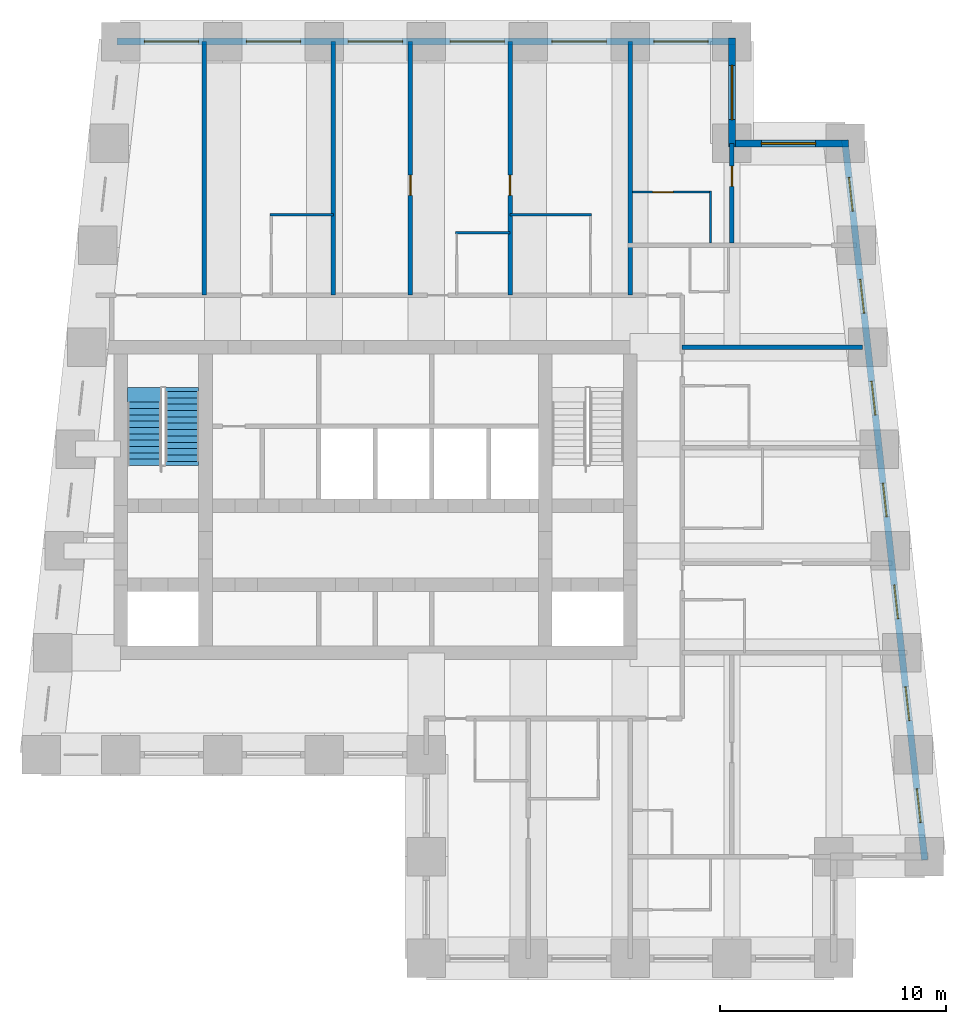
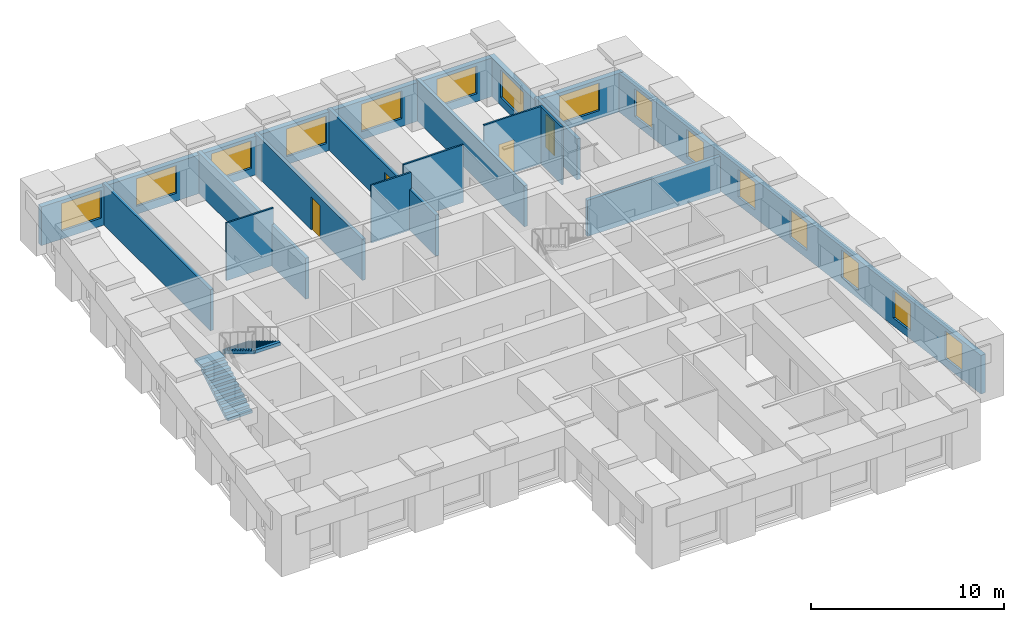
# One storey, part 5 of 7: 16 walls, 15 windows, 4 doors, 2 stair flights, 19 openings, 1 element without a shape of its own.
"""IFC4 building model written with IfcOpenShell, lengths in metres."""

from ifc_helpers import new_model, si_unit, direction, frame, frame_2d, origin, place, context, subcontext, project, spatial, polyline, rectangle, outline, extrude, material, layer, layer_set, type_object, element, fill, aggregate, save


model = new_model("IFC4")

# Units and contexts
model_context = context("Model", 3, precision=1e-05, world=origin(), true_north=direction((0.0, 1.0)))
body_context = subcontext(model_context, "Body", "Model", "MODEL_VIEW")
ifc_project = project(units=[si_unit("LENGTHUNIT", "METRE"), si_unit("AREAUNIT", "SQUARE_METRE"), si_unit("VOLUMEUNIT", "CUBIC_METRE"), si_unit("PLANEANGLEUNIT", "RADIAN"), si_unit("MASSUNIT", "GRAM", prefix="KILO")], contexts=[model_context])

# Site, building, storey
site_placement = place(None, origin())
site = spatial("IfcSite", under=ifc_project, at=site_placement, CompositionType="ELEMENT")
building_placement = place(site_placement, origin())
building = spatial("IfcBuilding", under=site, at=building_placement, Name="Kilele Tower Hotel", CompositionType="ELEMENT")
storey_placement = place(building_placement, frame((0.0, 0.0, 240.800048828125)))
storey = spatial("IfcBuildingStorey", under=building, at=storey_placement, Name="L62", CompositionType="ELEMENT", Elevation=240.800048828125)

# Walls
ifc_material_1 = material(Name="Moisture-resistant board")
ifc_layer_1 = layer(ifc_material_1, 0.10009765625)
ifc_layer_set_1 = layer_set([ifc_layer_1], Name="Moisture-resistant board")
wall_type_1 = type_object("IfcWallType", Name="Bathroom partition 100", PredefinedType="PLUMBINGWALL", material=ifc_layer_set_1)
wall_1_placement = place(storey_placement, frame((20.10009765625, 32.85009765625, 0.0), z_axis=(0.0, 0.0, 1.0), x_axis=(1.0, 0.0, 0.0)))
element("IfcWall", 1, at=wall_1_placement, inside=storey, type_object=wall_type_1, Name="Bathroom partition 100 L62", PredefinedType="PLUMBINGWALL", context=body_context, shape_type="SweptSolid", body=[
    extrude(rectangle(XDim=2.7998046875, YDim=0.10009765625, at=frame_2d((1.39990234375, 0.0))), origin(), (0.0, 0.0, 1.0), 3.64990234375),
])
wall_2_placement = place(storey_placement, frame((28.300048828125, 32.050048828125, 0.0), z_axis=(0.0, 0.0, 1.0), x_axis=(1.0, 0.0, 0.0)))
element("IfcWall", 2, at=wall_2_placement, inside=storey, type_object=wall_type_1, Name="Bathroom partition 100 L62", PredefinedType="PLUMBINGWALL", context=body_context, shape_type="SweptSolid", body=[
    extrude(rectangle(XDim=2.39990234375, YDim=0.10009765625, at=frame_2d((1.199951171875, 0.0))), origin(), (0.0, 0.0, 1.0), 3.64990234375),
])
wall_3_placement = place(storey_placement, frame((30.699951171875, 32.85009765625, 0.0), z_axis=(0.0, 0.0, 1.0), x_axis=(1.0, 0.0, 0.0)))
element("IfcWall", 3, at=wall_3_placement, inside=storey, type_object=wall_type_1, Name="Bathroom partition 100 L62", PredefinedType="PLUMBINGWALL", context=body_context, shape_type="SweptSolid", body=[
    extrude(rectangle(XDim=3.60009765625, YDim=0.10009765625, at=frame_2d((1.800048828125, 0.0))), origin(), (0.0, 0.0, 1.0), 3.64990234375),
])
wall_4_placement = place(storey_placement, frame((39.550048828125, 31.60009765625, 0.0), z_axis=(0.0, 0.0, 1.0), x_axis=(0.0, 1.0, 0.0)))
element("IfcWall", 4, at=wall_4_placement, inside=storey, type_object=wall_type_1, Name="Bathroom partition 100 L62", PredefinedType="PLUMBINGWALL", context=body_context, shape_type="SweptSolid", body=[
    extrude(rectangle(XDim=2.2998046875, YDim=0.10009765625, at=frame_2d((1.14990234375, 0.0))), origin(), (0.0, 0.0, 1.0), 3.64990234375),
])

# Wall, opening, door
wall_5_placement = place(storey_placement, frame((36.10009765625, 33.85009765625, 0.0), z_axis=(0.0, 0.0, 1.0), x_axis=(1.0, 0.0, 0.0)))
wall_5 = element("IfcWall", 5, at=wall_5_placement, inside=storey, type_object=wall_type_1, Name="Bathroom partition 100 L62", PredefinedType="PLUMBINGWALL", context=body_context, shape_type="SweptSolid", body=[
    extrude(rectangle(XDim=3.5, YDim=0.10009765625, at=frame_2d((1.75, 0.0))), origin(), (0.0, 0.0, 1.0), 3.64990234375),
])
opening_1_placement = place(wall_5_placement, frame((0.89990234375, 0.0, 0.0)))
opening_1 = element("IfcOpeningElement", 6, at=opening_1_placement, cuts=wall_5, Name="Opening D2A", PredefinedType="OPENING", context=body_context, shape_type="SweptSolid", body=[
    extrude(rectangle(XDim=0.89990234375, YDim=2.10009765625, at=frame_2d((0.449951171875, 1.050048828125))), frame((0.0, 0.06005859375, 0.0), z_axis=(0.0, -1.0, 0.0), x_axis=(1.0, 0.0, 0.0)), (0.0, 0.0, 1.0), 0.1201171875),
])
ifc_material_2 = material(Name="Timber door leaf in hardwood frame", Category="wood")
door_type_1 = type_object("IfcDoorType", Name="Bathroom door 900", OperationType="SINGLE_SWING_LEFT", PredefinedType="DOOR", material=ifc_material_2)
door_1_placement = place(opening_1_placement, origin())
door_1 = element("IfcDoor", 7, at=door_1_placement, inside=storey, type_object=door_type_1, Name="Bathroom door 6216B", OperationType="SINGLE_SWING_LEFT", OverallHeight=2.10009765625, OverallWidth=0.89990234375, PredefinedType="DOOR", context=body_context, shape_type="SweptSolid", body=[
    extrude(rectangle(XDim=0.89990234375, YDim=2.10009765625, at=frame_2d((0.449951171875, 1.050048828125))), frame((0.0, 0.02490234375, 0.0), z_axis=(0.0, -1.0, 0.0), x_axis=(1.0, 0.0, 0.0)), (0.0, 0.0, 1.0), 0.050048828125),
])
fill(opening_1, door_1)

ifc_material_3 = material(Name="Blockwork, plastered both sides", Category="masonry")
ifc_layer_2 = layer(ifc_material_3, 0.199951171875)
ifc_layer_set_2 = layer_set([ifc_layer_2], Name="Blockwork, plastered both sides")
wall_type_2 = type_object("IfcWallType", Name="Partition wall 200", PredefinedType="PARTITIONING", material=ifc_layer_set_2)
wall_6_placement = place(storey_placement, frame((40.5, 31.60009765625, 0.0), z_axis=(0.0, 0.0, 1.0), x_axis=(0.0, 1.0, 0.0)))
wall_6 = element("IfcWall", 8, at=wall_6_placement, inside=storey, type_object=wall_type_2, Name="Partition wall 200 L62", PredefinedType="PARTITIONING", context=body_context, shape_type="SweptSolid", body=[
    extrude(rectangle(XDim=4.39990234375, YDim=0.199951171875, at=frame_2d((2.199951171875, 0.0))), origin(), (0.0, 0.0, 1.0), 2.599853515625),
])
opening_2_placement = place(wall_6_placement, frame((2.5, 0.0, 0.0)))
opening_2 = element("IfcOpeningElement", 9, at=opening_2_placement, cuts=wall_6, Name="Opening D3", PredefinedType="OPENING", context=body_context, shape_type="SweptSolid", body=[
    extrude(rectangle(XDim=0.89990234375, YDim=2.10009765625, at=frame_2d((0.449951171875, 1.050048828125))), frame((0.0, 0.10986328125, 0.0), z_axis=(0.0, -1.0, 0.0), x_axis=(1.0, 0.0, 0.0)), (0.0, 0.0, 1.0), 0.219970703125),
])
ifc_material_4 = material(Name="Timber door leaf in hardwood frame", Category="wood")
door_type_2 = type_object("IfcDoorType", Name="Suite internal door 900", OperationType="SINGLE_SWING_LEFT", PredefinedType="DOOR", material=ifc_material_4)
door_2_placement = place(opening_2_placement, origin())
door_2 = element("IfcDoor", 10, at=door_2_placement, inside=storey, type_object=door_type_2, Name="Suite door 6217", OperationType="SINGLE_SWING_LEFT", OverallHeight=2.10009765625, OverallWidth=0.89990234375, PredefinedType="DOOR", context=body_context, shape_type="SweptSolid", body=[
    extrude(rectangle(XDim=0.89990234375, YDim=2.10009765625, at=frame_2d((0.449951171875, 1.050048828125))), frame((0.0, 0.02490234375, 0.0), z_axis=(0.0, -1.0, 0.0), x_axis=(1.0, 0.0, 0.0)), (0.0, 0.0, 1.0), 0.050048828125),
])
fill(opening_2, door_2)

# Walls
ifc_material_5 = material(Name="Blockwork, plastered both sides", Category="masonry")
ifc_layer_3 = layer(ifc_material_5, 0.199951171875)
ifc_layer_set_3 = layer_set([ifc_layer_3], Name="Blockwork, plastered both sides")
wall_type_3 = type_object("IfcWallType", Name="Party wall 200", PredefinedType="PARTITIONING", material=ifc_layer_set_3)
for number, where, z_axis, x_axis, name in (
    (11, (17.199951171875, 29.300048828125, 0.0), (0.0, 0.0, 1.0), (0.0, 1.0, 0.0), "Party wall 200 L62"),
    (12, (22.89990234375, 29.300048828125, 0.0), (0.0, 0.0, 1.0), (0.0, 1.0, 0.0), "Party wall 200 L62"),
):
    element("IfcWall", number, at=place(storey_placement, frame(where, z_axis=z_axis, x_axis=x_axis)), inside=storey, type_object=wall_type_3, Name=name, PredefinedType="PARTITIONING", context=body_context, shape_type="SweptSolid", body=[
        extrude(rectangle(XDim=11.199951171875, YDim=0.199951171875, at=frame_2d((5.60009765625, 0.0))), origin(), (0.0, 0.0, 1.0), 2.599853515625),
    ])

# Wall, opening, door
wall_7_placement = place(storey_placement, frame((26.300048828125, 29.300048828125, 0.0), z_axis=(0.0, 0.0, 1.0), x_axis=(0.0, 1.0, 0.0)))
wall_7 = element("IfcWall", 13, at=wall_7_placement, inside=storey, type_object=wall_type_3, Name="Party wall 200 L62", PredefinedType="PARTITIONING", context=body_context, shape_type="SweptSolid", body=[
    extrude(rectangle(XDim=11.199951171875, YDim=0.199951171875, at=frame_2d((5.60009765625, 0.0))), origin(), (0.0, 0.0, 1.0), 2.599853515625),
])
opening_3_placement = place(wall_7_placement, frame((4.39990234375, 0.0, 0.0)))
opening_3 = element("IfcOpeningElement", 14, at=opening_3_placement, cuts=wall_7, Name="Opening D3", PredefinedType="OPENING", context=body_context, shape_type="SweptSolid", body=[
    extrude(rectangle(XDim=0.89990234375, YDim=2.10009765625, at=frame_2d((0.449951171875, 1.050048828125))), frame((0.0, 0.10986328125, 0.0), z_axis=(0.0, -1.0, 0.0), x_axis=(1.0, 0.0, 0.0)), (0.0, 0.0, 1.0), 0.219970703125),
])
door_3_placement = place(opening_3_placement, origin())
door_3 = element("IfcDoor", 15, at=door_3_placement, inside=storey, type_object=door_type_2, Name="Suite door 6210", OperationType="SINGLE_SWING_LEFT", OverallHeight=2.10009765625, OverallWidth=0.89990234375, PredefinedType="DOOR", context=body_context, shape_type="SweptSolid", body=[
    extrude(rectangle(XDim=0.89990234375, YDim=2.10009765625, at=frame_2d((0.449951171875, 1.050048828125))), frame((0.0, 0.02490234375, 0.0), z_axis=(0.0, -1.0, 0.0), x_axis=(1.0, 0.0, 0.0)), (0.0, 0.0, 1.0), 0.050048828125),
])
fill(opening_3, door_3)

wall_8_placement = place(storey_placement, frame((30.699951171875, 29.300048828125, 0.0), z_axis=(0.0, 0.0, 1.0), x_axis=(0.0, 1.0, 0.0)))
wall_8 = element("IfcWall", 16, at=wall_8_placement, inside=storey, type_object=wall_type_3, Name="Party wall 200 L62", PredefinedType="PARTITIONING", context=body_context, shape_type="SweptSolid", body=[
    extrude(rectangle(XDim=11.199951171875, YDim=0.199951171875, at=frame_2d((5.60009765625, 0.0))), origin(), (0.0, 0.0, 1.0), 2.599853515625),
])
opening_4_placement = place(wall_8_placement, frame((5.2998046875, 0.0, 0.0), z_axis=(0.0, 0.0, 1.0), x_axis=(-1.0, 0.0, 0.0)))
opening_4 = element("IfcOpeningElement", 17, at=opening_4_placement, cuts=wall_8, Name="Opening D3", PredefinedType="OPENING", context=body_context, shape_type="SweptSolid", body=[
    extrude(rectangle(XDim=0.89990234375, YDim=2.10009765625, at=frame_2d((0.449951171875, 1.050048828125))), frame((0.0, 0.10986328125, 0.0), z_axis=(0.0, -1.0, 0.0), x_axis=(1.0, 0.0, 0.0)), (0.0, 0.0, 1.0), 0.219970703125),
])
door_4_placement = place(opening_4_placement, origin())
door_4 = element("IfcDoor", 18, at=door_4_placement, inside=storey, type_object=door_type_2, Name="Suite door 6211", OperationType="SINGLE_SWING_RIGHT", OverallHeight=2.10009765625, OverallWidth=0.89990234375, PredefinedType="DOOR", context=body_context, shape_type="SweptSolid", body=[
    extrude(rectangle(XDim=0.89990234375, YDim=2.10009765625, at=frame_2d((0.449951171875, 1.050048828125))), frame((0.0, 0.02490234375, 0.0), z_axis=(0.0, -1.0, 0.0), x_axis=(1.0, 0.0, 0.0)), (0.0, 0.0, 1.0), 0.050048828125),
])
fill(opening_4, door_4)

# Walls
wall_9_placement = place(storey_placement, frame((38.300048828125, 27.0, 0.0), z_axis=(0.0, 0.0, 1.0), x_axis=(1.0, 0.0, 0.0)))
element("IfcWall", 19, at=wall_9_placement, inside=storey, type_object=wall_type_3, Name="Party wall 200 L62", PredefinedType="PARTITIONING", context=body_context, shape_type="SweptSolid", body=[
    extrude(rectangle(XDim=7.976806640625, YDim=0.199951171875, at=frame_2d((3.98828125, 0.0))), origin(), (0.0, 0.0, 1.0), 2.300048828125),
])
wall_10_placement = place(storey_placement, frame((36.0, 29.300048828125, 0.0), z_axis=(0.0, 0.0, 1.0), x_axis=(0.0, 1.0, 0.0)))
element("IfcWall", 20, at=wall_10_placement, inside=storey, type_object=wall_type_3, Name="Party wall 200 L62", PredefinedType="PARTITIONING", context=body_context, shape_type="SweptSolid", body=[
    extrude(rectangle(XDim=11.199951171875, YDim=0.199951171875, at=frame_2d((5.60009765625, 0.0))), origin(), (0.0, 0.0, 1.0), 2.599853515625),
])

# Wall, openings, windows
ifc_material_6 = material(Name="Concrete C40/50 precast", Category="concrete")
ifc_layer_4 = layer(ifc_material_6, 0.260009765625, Name="Precast backing", Category="LoadBearing")
ifc_material_7 = material(Name="Reconstituted stone finish", Category="masonry")
ifc_layer_5 = layer(ifc_material_7, 0.0400390625, Name="Face mix", Category="Finish")
ifc_layer_set_4 = layer_set([ifc_layer_4, ifc_layer_5], Name="Precast concrete C40/50, reconstituted stone finish")
wall_type_4 = type_object("IfcWallType", Name="Precast stone facade wall 300", PredefinedType="STANDARD", material=ifc_layer_set_4)
wall_11_placement = place(storey_placement, frame((49.0166015625, 4.350830078125, 0.0), z_axis=(0.0, 0.0, 1.0), x_axis=(-0.110433201132, 0.993883548555, 0.0)))
wall_11 = element("IfcWall", 21, at=wall_11_placement, inside=storey, type_object=wall_type_4, Name="Facade wall L62 edge 6", PredefinedType="STANDARD", context=body_context, shape_type="SweptSolid", body=[
    extrude(rectangle(XDim=31.994140625, YDim=0.300048828125, at=frame_2d((15.9970703125, 0.0))), origin(), (0.0, 0.0, 1.0), 2.449951171875),
])
opening_5_placement = place(wall_11_placement, frame((1.6640625, 0.0, 0.5)))
opening_5 = element("IfcOpeningElement", 22, at=opening_5_placement, cuts=wall_11, Name="Opening W4", PredefinedType="OPENING", context=body_context, shape_type="SweptSolid", body=[
    extrude(rectangle(XDim=1.5, YDim=1.75, at=frame_2d((0.75, 0.875))), frame((0.0, 0.159912109375, 0.0), z_axis=(0.0, -1.0, 0.0), x_axis=(1.0, 0.0, 0.0)), (0.0, 0.0, 1.0), 0.320068359375),
])
opening_6_placement = place(wall_11_placement, frame((6.19189453125, 0.0, 0.5)))
opening_6 = element("IfcOpeningElement", 23, at=opening_6_placement, cuts=wall_11, Name="Opening W4", PredefinedType="OPENING", context=body_context, shape_type="SweptSolid", body=[
    extrude(rectangle(XDim=1.5, YDim=1.75, at=frame_2d((0.75, 0.875))), frame((0.0, 0.159912109375, 0.0), z_axis=(0.0, -1.0, 0.0), x_axis=(1.0, 0.0, 0.0)), (0.0, 0.0, 1.0), 0.320068359375),
])
opening_7_placement = place(wall_11_placement, frame((10.718994140625, 0.0, 0.5)))
opening_7 = element("IfcOpeningElement", 24, at=opening_7_placement, cuts=wall_11, Name="Opening W4", PredefinedType="OPENING", context=body_context, shape_type="SweptSolid", body=[
    extrude(rectangle(XDim=1.5, YDim=1.75, at=frame_2d((0.75, 0.875))), frame((0.0, 0.159912109375, 0.0), z_axis=(0.0, -1.0, 0.0), x_axis=(1.0, 0.0, 0.0)), (0.0, 0.0, 1.0), 0.320068359375),
])
opening_8_placement = place(wall_11_placement, frame((15.2470703125, 0.0, 0.5)))
opening_8 = element("IfcOpeningElement", 25, at=opening_8_placement, cuts=wall_11, Name="Opening W4", PredefinedType="OPENING", context=body_context, shape_type="SweptSolid", body=[
    extrude(rectangle(XDim=1.5, YDim=1.75, at=frame_2d((0.75, 0.875))), frame((0.0, 0.159912109375, 0.0), z_axis=(0.0, -1.0, 0.0), x_axis=(1.0, 0.0, 0.0)), (0.0, 0.0, 1.0), 0.320068359375),
])
opening_9_placement = place(wall_11_placement, frame((19.77490234375, 0.0, 0.5)))
opening_9 = element("IfcOpeningElement", 26, at=opening_9_placement, cuts=wall_11, Name="Opening W4", PredefinedType="OPENING", context=body_context, shape_type="SweptSolid", body=[
    extrude(rectangle(XDim=1.5, YDim=1.75, at=frame_2d((0.75, 0.875))), frame((0.0, 0.159912109375, 0.0), z_axis=(0.0, -1.0, 0.0), x_axis=(1.0, 0.0, 0.0)), (0.0, 0.0, 1.0), 0.320068359375),
])
opening_10_placement = place(wall_11_placement, frame((24.302001953125, 0.0, 0.5)))
opening_10 = element("IfcOpeningElement", 27, at=opening_10_placement, cuts=wall_11, Name="Opening W4", PredefinedType="OPENING", context=body_context, shape_type="SweptSolid", body=[
    extrude(rectangle(XDim=1.5, YDim=1.75, at=frame_2d((0.75, 0.875))), frame((0.0, 0.159912109375, 0.0), z_axis=(0.0, -1.0, 0.0), x_axis=(1.0, 0.0, 0.0)), (0.0, 0.0, 1.0), 0.320068359375),
])
opening_11_placement = place(wall_11_placement, frame((28.830078125, 0.0, 0.5)))
opening_11 = element("IfcOpeningElement", 28, at=opening_11_placement, cuts=wall_11, Name="Opening W4", PredefinedType="OPENING", context=body_context, shape_type="SweptSolid", body=[
    extrude(rectangle(XDim=1.5, YDim=1.75, at=frame_2d((0.75, 0.875))), frame((0.0, 0.159912109375, 0.0), z_axis=(0.0, -1.0, 0.0), x_axis=(1.0, 0.0, 0.0)), (0.0, 0.0, 1.0), 0.320068359375),
])
ifc_material_8 = material(Name="Aluminium frame, clear double glazing", Category="aluminium")
window_type_1 = type_object("IfcWindowType", Name="Window W4 1500 x 1750", PartitioningType="SINGLE_PANEL", PredefinedType="WINDOW", material=ifc_material_8)
window_1_placement = place(opening_5_placement, origin())
window_1 = element("IfcWindow", 29, at=window_1_placement, inside=storey, type_object=window_type_1, Name="Window L62", OverallHeight=1.75, OverallWidth=1.5, PartitioningType="SINGLE_PANEL", PredefinedType="WINDOW", context=body_context, shape_type="SweptSolid", body=[
    extrude(rectangle(XDim=1.5, YDim=1.75, at=frame_2d((0.75, 0.875))), frame((0.0, 0.030029296875, 0.0), z_axis=(0.0, -1.0, 0.0), x_axis=(1.0, 0.0, 0.0)), (0.0, 0.0, 1.0), 0.06005859375),
])
fill(opening_5, window_1)
window_2_placement = place(opening_6_placement, origin())
window_2 = element("IfcWindow", 30, at=window_2_placement, inside=storey, type_object=window_type_1, Name="Window L62", OverallHeight=1.75, OverallWidth=1.5, PartitioningType="SINGLE_PANEL", PredefinedType="WINDOW", context=body_context, shape_type="SweptSolid", body=[
    extrude(rectangle(XDim=1.5, YDim=1.75, at=frame_2d((0.75, 0.875))), frame((0.0, 0.030029296875, 0.0), z_axis=(0.0, -1.0, 0.0), x_axis=(1.0, 0.0, 0.0)), (0.0, 0.0, 1.0), 0.06005859375),
])
fill(opening_6, window_2)
window_3_placement = place(opening_7_placement, origin())
window_3 = element("IfcWindow", 31, at=window_3_placement, inside=storey, type_object=window_type_1, Name="Window L62", OverallHeight=1.75, OverallWidth=1.5, PartitioningType="SINGLE_PANEL", PredefinedType="WINDOW", context=body_context, shape_type="SweptSolid", body=[
    extrude(rectangle(XDim=1.5, YDim=1.75, at=frame_2d((0.75, 0.875))), frame((0.0, 0.030029296875, 0.0), z_axis=(0.0, -1.0, 0.0), x_axis=(1.0, 0.0, 0.0)), (0.0, 0.0, 1.0), 0.06005859375),
])
fill(opening_7, window_3)
window_4_placement = place(opening_8_placement, origin())
window_4 = element("IfcWindow", 32, at=window_4_placement, inside=storey, type_object=window_type_1, Name="Window L62", OverallHeight=1.75, OverallWidth=1.5, PartitioningType="SINGLE_PANEL", PredefinedType="WINDOW", context=body_context, shape_type="SweptSolid", body=[
    extrude(rectangle(XDim=1.5, YDim=1.75, at=frame_2d((0.75, 0.875))), frame((0.0, 0.030029296875, 0.0), z_axis=(0.0, -1.0, 0.0), x_axis=(1.0, 0.0, 0.0)), (0.0, 0.0, 1.0), 0.06005859375),
])
fill(opening_8, window_4)
window_5_placement = place(opening_9_placement, origin())
window_5 = element("IfcWindow", 33, at=window_5_placement, inside=storey, type_object=window_type_1, Name="Window L62", OverallHeight=1.75, OverallWidth=1.5, PartitioningType="SINGLE_PANEL", PredefinedType="WINDOW", context=body_context, shape_type="SweptSolid", body=[
    extrude(rectangle(XDim=1.5, YDim=1.75, at=frame_2d((0.75, 0.875))), frame((0.0, 0.030029296875, 0.0), z_axis=(0.0, -1.0, 0.0), x_axis=(1.0, 0.0, 0.0)), (0.0, 0.0, 1.0), 0.06005859375),
])
fill(opening_9, window_5)
window_6_placement = place(opening_10_placement, origin())
window_6 = element("IfcWindow", 34, at=window_6_placement, inside=storey, type_object=window_type_1, Name="Window L62", OverallHeight=1.75, OverallWidth=1.5, PartitioningType="SINGLE_PANEL", PredefinedType="WINDOW", context=body_context, shape_type="SweptSolid", body=[
    extrude(rectangle(XDim=1.5, YDim=1.75, at=frame_2d((0.75, 0.875))), frame((0.0, 0.030029296875, 0.0), z_axis=(0.0, -1.0, 0.0), x_axis=(1.0, 0.0, 0.0)), (0.0, 0.0, 1.0), 0.06005859375),
])
fill(opening_10, window_6)
window_7_placement = place(opening_11_placement, origin())
window_7 = element("IfcWindow", 35, at=window_7_placement, inside=storey, type_object=window_type_1, Name="Window L62", OverallHeight=1.75, OverallWidth=1.5, PartitioningType="SINGLE_PANEL", PredefinedType="WINDOW", context=body_context, shape_type="SweptSolid", body=[
    extrude(rectangle(XDim=1.5, YDim=1.75, at=frame_2d((0.75, 0.875))), frame((0.0, 0.030029296875, 0.0), z_axis=(0.0, -1.0, 0.0), x_axis=(1.0, 0.0, 0.0)), (0.0, 0.0, 1.0), 0.06005859375),
])
fill(opening_11, window_7)

# Wall, opening, window
wall_12_placement = place(storey_placement, frame((45.64990234375, 36.0, 0.0), z_axis=(0.0, 0.0, 1.0), x_axis=(-1.0, 0.0, 0.0)))
wall_12 = element("IfcWall", 36, at=wall_12_placement, inside=storey, type_object=wall_type_4, Name="Facade wall L62 edge 7", PredefinedType="STANDARD", context=body_context, shape_type="SweptSolid", body=[
    extrude(rectangle(XDim=5.2998046875, YDim=0.300048828125, at=frame_2d((2.64990234375, 0.0))), origin(), (0.0, 0.0, 1.0), 2.449951171875),
])
opening_12_placement = place(wall_12_placement, frame((1.449951171875, 0.0, 0.5)))
opening_12 = element("IfcOpeningElement", 37, at=opening_12_placement, cuts=wall_12, Name="Opening W4", PredefinedType="OPENING", context=body_context, shape_type="SweptSolid", body=[
    extrude(rectangle(XDim=2.39990234375, YDim=1.75, at=frame_2d((1.199951171875, 0.875))), frame((0.0, 0.159912109375, 0.0), z_axis=(0.0, -1.0, 0.0), x_axis=(1.0, 0.0, 0.0)), (0.0, 0.0, 1.0), 0.320068359375),
])
ifc_material_9 = material(Name="Aluminium frame, clear double glazing", Category="aluminium")
window_type_2 = type_object("IfcWindowType", Name="Window W4 2400 x 1750", PartitioningType="SINGLE_PANEL", PredefinedType="WINDOW", material=ifc_material_9)
window_8_placement = place(opening_12_placement, origin())
window_8 = element("IfcWindow", 38, at=window_8_placement, inside=storey, type_object=window_type_2, Name="Window L62", OverallHeight=1.75, OverallWidth=2.39990234375, PartitioningType="SINGLE_PANEL", PredefinedType="WINDOW", context=body_context, shape_type="SweptSolid", body=[
    extrude(rectangle(XDim=2.39990234375, YDim=1.75, at=frame_2d((1.199951171875, 0.875))), frame((0.0, 0.030029296875, 0.0), z_axis=(0.0, -1.0, 0.0), x_axis=(1.0, 0.0, 0.0)), (0.0, 0.0, 1.0), 0.06005859375),
])
fill(opening_12, window_8)

wall_13_placement = place(storey_placement, frame((40.5, 35.85009765625, 0.0), z_axis=(0.0, 0.0, 1.0), x_axis=(0.0, 1.0, 0.0)))
wall_13 = element("IfcWall", 39, at=wall_13_placement, inside=storey, type_object=wall_type_4, Name="Facade wall L62 edge 8", PredefinedType="STANDARD", context=body_context, shape_type="SweptSolid", body=[
    extrude(rectangle(XDim=4.7998046875, YDim=0.300048828125, at=frame_2d((2.39990234375, 0.0))), origin(), (0.0, 0.0, 1.0), 2.449951171875),
])
opening_13_placement = place(wall_13_placement, frame((1.199951171875, 0.0, 0.5)))
opening_13 = element("IfcOpeningElement", 40, at=opening_13_placement, cuts=wall_13, Name="Opening W4", PredefinedType="OPENING", context=body_context, shape_type="SweptSolid", body=[
    extrude(rectangle(XDim=2.39990234375, YDim=1.75, at=frame_2d((1.199951171875, 0.875))), frame((0.0, 0.159912109375, 0.0), z_axis=(0.0, -1.0, 0.0), x_axis=(1.0, 0.0, 0.0)), (0.0, 0.0, 1.0), 0.320068359375),
])
window_9_placement = place(opening_13_placement, origin())
window_9 = element("IfcWindow", 41, at=window_9_placement, inside=storey, type_object=window_type_2, Name="Window L62", OverallHeight=1.75, OverallWidth=2.39990234375, PartitioningType="SINGLE_PANEL", PredefinedType="WINDOW", context=body_context, shape_type="SweptSolid", body=[
    extrude(rectangle(XDim=2.39990234375, YDim=1.75, at=frame_2d((1.199951171875, 0.875))), frame((0.0, 0.030029296875, 0.0), z_axis=(0.0, -1.0, 0.0), x_axis=(1.0, 0.0, 0.0)), (0.0, 0.0, 1.0), 0.06005859375),
])
fill(opening_13, window_9)

# Wall, openings, windows
wall_14_placement = place(storey_placement, frame((40.64990234375, 40.5, 0.0), z_axis=(0.0, 0.0, 1.0), x_axis=(-1.0, 0.0, 0.0)))
wall_14 = element("IfcWall", 42, at=wall_14_placement, inside=storey, type_object=wall_type_4, Name="Facade wall L62 edge 9", PredefinedType="STANDARD", context=body_context, shape_type="SweptSolid", body=[
    extrude(rectangle(XDim=27.2998046875, YDim=0.300048828125, at=frame_2d((13.64990234375, 0.0))), origin(), (0.0, 0.0, 1.0), 2.449951171875),
])
opening_14_placement = place(wall_14_placement, frame((1.199951171875, 0.0, 0.5)))
opening_14 = element("IfcOpeningElement", 43, at=opening_14_placement, cuts=wall_14, Name="Opening W4", PredefinedType="OPENING", context=body_context, shape_type="SweptSolid", body=[
    extrude(rectangle(XDim=2.39990234375, YDim=1.75, at=frame_2d((1.199951171875, 0.875))), frame((0.0, 0.159912109375, 0.0), z_axis=(0.0, -1.0, 0.0), x_axis=(1.0, 0.0, 0.0)), (0.0, 0.0, 1.0), 0.320068359375),
])
opening_15_placement = place(wall_14_placement, frame((5.699951171875, 0.0, 0.5)))
opening_15 = element("IfcOpeningElement", 44, at=opening_15_placement, cuts=wall_14, Name="Opening W4", PredefinedType="OPENING", context=body_context, shape_type="SweptSolid", body=[
    extrude(rectangle(XDim=2.39990234375, YDim=1.75, at=frame_2d((1.199951171875, 0.875))), frame((0.0, 0.159912109375, 0.0), z_axis=(0.0, -1.0, 0.0), x_axis=(1.0, 0.0, 0.0)), (0.0, 0.0, 1.0), 0.320068359375),
])
opening_16_placement = place(wall_14_placement, frame((10.199951171875, 0.0, 0.5)))
opening_16 = element("IfcOpeningElement", 45, at=opening_16_placement, cuts=wall_14, Name="Opening W4", PredefinedType="OPENING", context=body_context, shape_type="SweptSolid", body=[
    extrude(rectangle(XDim=2.39990234375, YDim=1.75, at=frame_2d((1.199951171875, 0.875))), frame((0.0, 0.159912109375, 0.0), z_axis=(0.0, -1.0, 0.0), x_axis=(1.0, 0.0, 0.0)), (0.0, 0.0, 1.0), 0.320068359375),
])
opening_17_placement = place(wall_14_placement, frame((14.699951171875, 0.0, 0.5)))
opening_17 = element("IfcOpeningElement", 46, at=opening_17_placement, cuts=wall_14, Name="Opening W4", PredefinedType="OPENING", context=body_context, shape_type="SweptSolid", body=[
    extrude(rectangle(XDim=2.39990234375, YDim=1.75, at=frame_2d((1.199951171875, 0.875))), frame((0.0, 0.159912109375, 0.0), z_axis=(0.0, -1.0, 0.0), x_axis=(1.0, 0.0, 0.0)), (0.0, 0.0, 1.0), 0.320068359375),
])
opening_18_placement = place(wall_14_placement, frame((19.199951171875, 0.0, 0.5)))
opening_18 = element("IfcOpeningElement", 47, at=opening_18_placement, cuts=wall_14, Name="Opening W4", PredefinedType="OPENING", context=body_context, shape_type="SweptSolid", body=[
    extrude(rectangle(XDim=2.39990234375, YDim=1.75, at=frame_2d((1.199951171875, 0.875))), frame((0.0, 0.159912109375, 0.0), z_axis=(0.0, -1.0, 0.0), x_axis=(1.0, 0.0, 0.0)), (0.0, 0.0, 1.0), 0.320068359375),
])
opening_19_placement = place(wall_14_placement, frame((23.699951171875, 0.0, 0.5)))
opening_19 = element("IfcOpeningElement", 48, at=opening_19_placement, cuts=wall_14, Name="Opening W4", PredefinedType="OPENING", context=body_context, shape_type="SweptSolid", body=[
    extrude(rectangle(XDim=2.39990234375, YDim=1.75, at=frame_2d((1.199951171875, 0.875))), frame((0.0, 0.159912109375, 0.0), z_axis=(0.0, -1.0, 0.0), x_axis=(1.0, 0.0, 0.0)), (0.0, 0.0, 1.0), 0.320068359375),
])
window_10_placement = place(opening_14_placement, origin())
window_10 = element("IfcWindow", 49, at=window_10_placement, inside=storey, type_object=window_type_2, Name="Window L62", OverallHeight=1.75, OverallWidth=2.39990234375, PartitioningType="SINGLE_PANEL", PredefinedType="WINDOW", context=body_context, shape_type="SweptSolid", body=[
    extrude(rectangle(XDim=2.39990234375, YDim=1.75, at=frame_2d((1.199951171875, 0.875))), frame((0.0, 0.030029296875, 0.0), z_axis=(0.0, -1.0, 0.0), x_axis=(1.0, 0.0, 0.0)), (0.0, 0.0, 1.0), 0.06005859375),
])
fill(opening_14, window_10)
window_11_placement = place(opening_15_placement, origin())
window_11 = element("IfcWindow", 50, at=window_11_placement, inside=storey, type_object=window_type_2, Name="Window L62", OverallHeight=1.75, OverallWidth=2.39990234375, PartitioningType="SINGLE_PANEL", PredefinedType="WINDOW", context=body_context, shape_type="SweptSolid", body=[
    extrude(rectangle(XDim=2.39990234375, YDim=1.75, at=frame_2d((1.199951171875, 0.875))), frame((0.0, 0.030029296875, 0.0), z_axis=(0.0, -1.0, 0.0), x_axis=(1.0, 0.0, 0.0)), (0.0, 0.0, 1.0), 0.06005859375),
])
fill(opening_15, window_11)
window_12_placement = place(opening_16_placement, origin())
window_12 = element("IfcWindow", 51, at=window_12_placement, inside=storey, type_object=window_type_2, Name="Window L62", OverallHeight=1.75, OverallWidth=2.39990234375, PartitioningType="SINGLE_PANEL", PredefinedType="WINDOW", context=body_context, shape_type="SweptSolid", body=[
    extrude(rectangle(XDim=2.39990234375, YDim=1.75, at=frame_2d((1.199951171875, 0.875))), frame((0.0, 0.030029296875, 0.0), z_axis=(0.0, -1.0, 0.0), x_axis=(1.0, 0.0, 0.0)), (0.0, 0.0, 1.0), 0.06005859375),
])
fill(opening_16, window_12)
window_13_placement = place(opening_17_placement, origin())
window_13 = element("IfcWindow", 52, at=window_13_placement, inside=storey, type_object=window_type_2, Name="Window L62", OverallHeight=1.75, OverallWidth=2.39990234375, PartitioningType="SINGLE_PANEL", PredefinedType="WINDOW", context=body_context, shape_type="SweptSolid", body=[
    extrude(rectangle(XDim=2.39990234375, YDim=1.75, at=frame_2d((1.199951171875, 0.875))), frame((0.0, 0.030029296875, 0.0), z_axis=(0.0, -1.0, 0.0), x_axis=(1.0, 0.0, 0.0)), (0.0, 0.0, 1.0), 0.06005859375),
])
fill(opening_17, window_13)
window_14_placement = place(opening_18_placement, origin())
window_14 = element("IfcWindow", 53, at=window_14_placement, inside=storey, type_object=window_type_2, Name="Window L62", OverallHeight=1.75, OverallWidth=2.39990234375, PartitioningType="SINGLE_PANEL", PredefinedType="WINDOW", context=body_context, shape_type="SweptSolid", body=[
    extrude(rectangle(XDim=2.39990234375, YDim=1.75, at=frame_2d((1.199951171875, 0.875))), frame((0.0, 0.030029296875, 0.0), z_axis=(0.0, -1.0, 0.0), x_axis=(1.0, 0.0, 0.0)), (0.0, 0.0, 1.0), 0.06005859375),
])
fill(opening_18, window_14)
window_15_placement = place(opening_19_placement, origin())
window_15 = element("IfcWindow", 54, at=window_15_placement, inside=storey, type_object=window_type_2, Name="Window L62", OverallHeight=1.75, OverallWidth=2.39990234375, PartitioningType="SINGLE_PANEL", PredefinedType="WINDOW", context=body_context, shape_type="SweptSolid", body=[
    extrude(rectangle(XDim=2.39990234375, YDim=1.75, at=frame_2d((1.199951171875, 0.875))), frame((0.0, 0.030029296875, 0.0), z_axis=(0.0, -1.0, 0.0), x_axis=(1.0, 0.0, 0.0)), (0.0, 0.0, 1.0), 0.06005859375),
])
fill(opening_19, window_15)

# Stair, stair flights
ifc_material_10 = material(Name="Precast concrete C40/50", Category="concrete")
stair_type = type_object("IfcStairType", Name="Stair 1475 x 3900", PredefinedType="HALF_TURN_STAIR", material=ifc_material_10)
stair_placement = place(storey_placement, origin())
stair = element("IfcStair", 55, at=stair_placement, inside=storey, type_object=stair_type, Name="Stair 1 L62", PredefinedType="HALF_TURN_STAIR")
ifc_material_11 = material(Name="Precast concrete C40/50", Category="concrete")
stair_flight_type = type_object("IfcStairFlightType", Name="Flight 1475 riser 169.6", PredefinedType="STRAIGHT", material=ifc_material_11)
stair_flight_1_placement = place(storey_placement, frame((14.53759765625, 21.77490234375, 0.0), z_axis=(0.0, 0.0, 1.0), x_axis=(0.0, 1.0, 0.0)))
stair_flight_1 = element("IfcStairFlight", 56, at=stair_flight_1_placement, type_object=stair_flight_type, Name="ST1 flight 1", NumberOfRisers=11, NumberOfTreads=10, PredefinedType="STRAIGHT", RiserHeight=0.169565217, TreadLength=0.28, context=body_context, shape_type="SweptSolid", body=[
    extrude(outline(polyline([(0.0, 0.0), (0.0, 0.169677734375), (0.280029296875, 0.169677734375), (0.280029296875, 0.339111328125), (0.56005859375, 0.339111328125), (0.56005859375, 0.5087890625), (0.840087890625, 0.5087890625), (0.840087890625, 0.67822265625), (1.1201171875, 0.67822265625), (1.1201171875, 0.847900390625), (1.39990234375, 0.847900390625), (1.39990234375, 1.017333984375), (1.679931640625, 1.017333984375), (1.679931640625, 1.18701171875), (1.9599609375, 1.18701171875), (1.9599609375, 1.3564453125), (2.239990234375, 1.3564453125), (2.239990234375, 1.526123046875), (2.52001953125, 1.526123046875), (2.52001953125, 1.695556640625), (2.800048828125, 1.695556640625), (2.800048828125, 1.865234375), (2.800048828125, 1.5205078125), (0.289306640625, 0.0), (0.0, 0.0)])), frame((0.0, 0.737548828125, 0.0), z_axis=(0.0, -1.0, 0.0), x_axis=(1.0, 0.0, 0.0)), (0.0, 0.0, 1.0), 1.47509765625),
    extrude(outline(polyline([(2.800048828125, 0.737548828125), (2.800048828125, -0.7373046875), (3.4501953125, -0.7373046875), (3.4501953125, 0.737548828125), (2.800048828125, 0.737548828125)])), frame((0.0, 0.0, 1.6650390625)), (0.0, 0.0, 1.0), 0.199951171875),
])
stair_flight_2_placement = place(storey_placement, frame((16.21240234375, 25.0400390625, 1.865234375), z_axis=(0.0, 0.0, 1.0), x_axis=(0.0, -1.0, 0.0)))
stair_flight_2 = element("IfcStairFlight", 57, at=stair_flight_2_placement, type_object=stair_flight_type, Name="ST1 flight 2", NumberOfRisers=12, NumberOfTreads=11, PredefinedType="STRAIGHT", RiserHeight=0.169565217, TreadLength=0.28, context=body_context, shape_type="SweptSolid", body=[
    extrude(outline(polyline([(0.0, 0.0), (0.0, 0.169677734375), (0.280029296875, 0.169677734375), (0.280029296875, 0.339111328125), (0.56005859375, 0.339111328125), (0.56005859375, 0.5087890625), (0.840087890625, 0.5087890625), (0.840087890625, 0.67822265625), (1.1201171875, 0.67822265625), (1.1201171875, 0.847900390625), (1.39990234375, 0.847900390625), (1.39990234375, 1.017333984375), (1.679931640625, 1.017333984375), (1.679931640625, 1.18701171875), (1.9599609375, 1.18701171875), (1.9599609375, 1.3564453125), (2.239990234375, 1.3564453125), (2.239990234375, 1.526123046875), (2.52001953125, 1.526123046875), (2.52001953125, 1.695556640625), (2.800048828125, 1.695556640625), (2.800048828125, 1.865234375), (3.080078125, 1.865234375), (3.080078125, 2.03466796875), (3.080078125, 1.68994140625), (0.289306640625, 0.0), (0.0, 0.0)])), frame((0.0, 0.737548828125, 0.0), z_axis=(0.0, -1.0, 0.0), x_axis=(1.0, 0.0, 0.0)), (0.0, 0.0, 1.0), 1.47509765625),
    extrude(outline(polyline([(0.0, -0.7373046875), (0.0, 0.737548828125), (-0.18505859375, 0.737548828125), (-0.18505859375, -0.7373046875), (0.0, -0.7373046875)])), frame((0.0, 0.0, -0.2001953125)), (0.0, 0.0, 1.0), 0.199951171875),
    extrude(outline(polyline([(3.26513671875, -0.7373046875), (3.26513671875, 0.737548828125), (3.080078125, 0.737548828125), (3.080078125, -0.7373046875), (3.26513671875, -0.7373046875)])), frame((0.0, 0.0, 1.834716796875)), (0.0, 0.0, 1.0), 0.199951171875),
])
aggregate(stair, [stair_flight_1, stair_flight_2])

save(model, "model.ifc")
